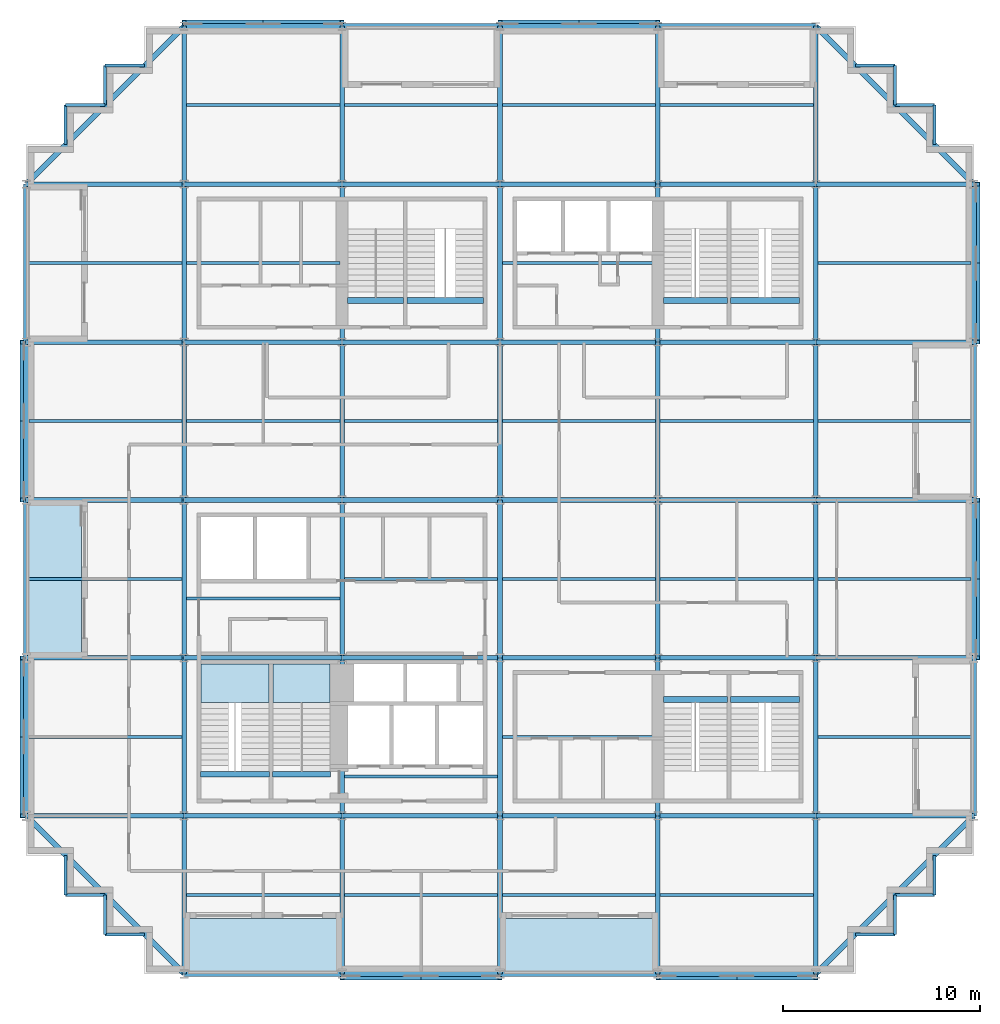
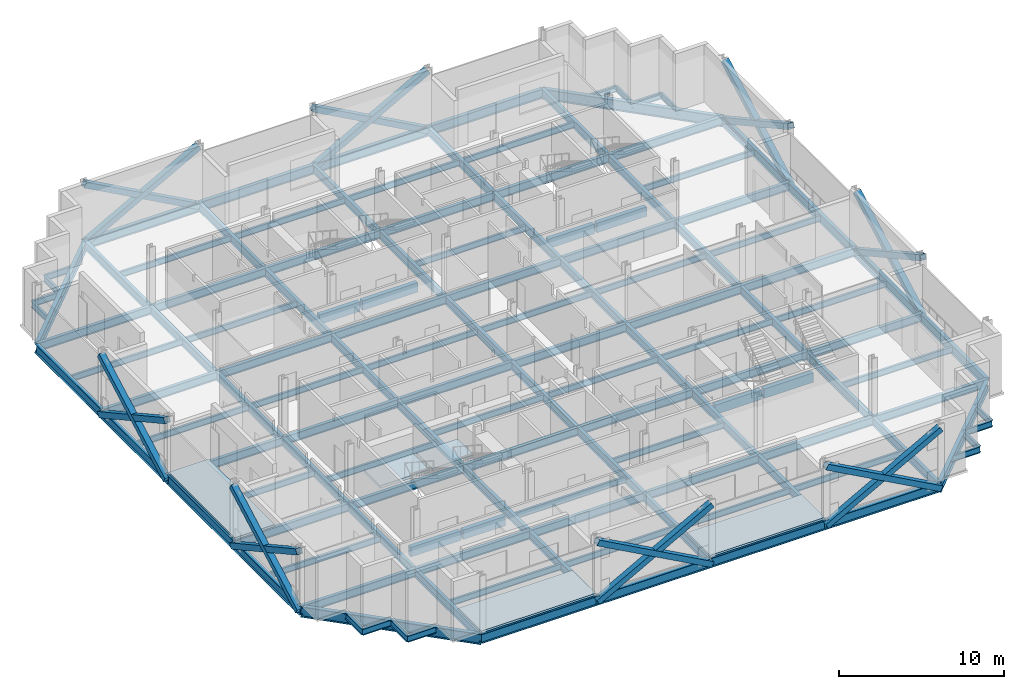
# One storey, part 4 of 13: 132 beams, 16 members, 5 slabs, 2 elements without a shape of their own.
"""IFC4 building model written with IfcOpenShell, lengths in metres."""

from ifc_helpers import new_model, si_unit, direction, frame, origin, origin_2d, place, context, subcontext, project, spatial, polyline, rectangle, hollow_rectangle, i_section, outline, extrude, material, layer, layer_set, material_profile, profile_set, type_object, element, aggregate, save


model = new_model("IFC4")

# Units and contexts
model_context = context("Model", 3, precision=1e-05, world=origin(), true_north=direction((0.0, 1.0)))
body_context = subcontext(model_context, "Body", "Model", "MODEL_VIEW")
ifc_project = project(units=[si_unit("LENGTHUNIT", "METRE"), si_unit("AREAUNIT", "SQUARE_METRE"), si_unit("VOLUMEUNIT", "CUBIC_METRE"), si_unit("PLANEANGLEUNIT", "RADIAN"), si_unit("MASSUNIT", "GRAM", prefix="KILO")], contexts=[model_context])

# Site, building, storey
site_placement = place(None, origin())
site = spatial("IfcSite", under=ifc_project, at=site_placement, CompositionType="ELEMENT")
building_placement = place(site_placement, origin())
building = spatial("IfcBuilding", under=site, at=building_placement, Name="Immortelle Media Tower", CompositionType="ELEMENT")
storey_placement = place(building_placement, frame((0.0, 0.0, 74.39990234375)))
storey = spatial("IfcBuildingStorey", under=building, at=storey_placement, Name="L13", CompositionType="ELEMENT", Elevation=74.39990234375)

# Members
ifc_material_1 = material(Name="Steel ASTM A500 Gr C", Category="steel")
ifc_material_profile_1 = material_profile(ifc_material_1, hollow_rectangle(XDim=0.406005859375, YDim=0.406005859375, WallThickness=0.014892578125, at=origin_2d()), Name="HSS16x16x5/8 brace")
ifc_profile_set_1 = profile_set([ifc_material_profile_1], Name="Steel ASTM A500 Gr C")
member_type = type_object("IfcMemberType", Name="HSS16x16x5/8 brace", PredefinedType="BRACE", material=ifc_profile_set_1)
for number, where, z_axis, x_axis, name in (
    (1, (-0.113037109375, 32.0, -0.496337890625), (0.0, -0.876220425204, 0.481910537812), (1.0, 0.0, 0.0), "Brace 1/D-E A"),
    (2, (-0.113037109375, 32.0, 3.903564453125), (0.0, -0.876220425204, -0.481910537812), (1.0, 0.0, 0.0), "Brace 1/D-E B"),
    (3, (-0.113037109375, 16.0, -0.496337890625), (0.0, -0.876220425204, 0.481910537812), (1.0, 0.0, 0.0), "Brace 1/B-C A"),
    (4, (-0.113037109375, 16.0, 3.903564453125), (0.0, -0.876220425204, -0.481910537812), (1.0, 0.0, 0.0), "Brace 1/B-C B"),
    (5, (16.0, -0.113037109375, -0.496337890625), (0.876220425204, 0.0, 0.481910537812), (0.0, 1.0, 0.0), "Brace A/3-4 A"),
    (6, (16.0, -0.113037109375, 3.903564453125), (0.876220425204, 0.0, -0.481910537812), (0.0, 1.0, 0.0), "Brace A/3-4 B"),
    (7, (32.0, -0.113037109375, -0.496337890625), (0.876220425204, 0.0, 0.481910537812), (0.0, 1.0, 0.0), "Brace A/5-6 A"),
    (8, (32.0, -0.113037109375, 3.903564453125), (0.876220425204, 0.0, -0.481910537812), (0.0, 1.0, 0.0), "Brace A/5-6 B"),
    (9, (48.113037109375, 16.0, -0.496337890625), (0.0, 0.876220425204, 0.481910537812), (-1.0, 0.0, 0.0), "Brace 7/C-D A"),
    (10, (48.113037109375, 16.0, 3.903564453125), (0.0, 0.876220425204, -0.481910537812), (-1.0, 0.0, 0.0), "Brace 7/C-D B"),
    (11, (48.113037109375, 32.0, -0.496337890625), (0.0, 0.876220425204, 0.481910537812), (-1.0, 0.0, 0.0), "Brace 7/E-F A"),
    (12, (48.113037109375, 32.0, 3.903564453125), (0.0, 0.876220425204, -0.481910537812), (-1.0, 0.0, 0.0), "Brace 7/E-F B"),
    (13, (32.0, 48.113037109375, -0.496337890625), (-0.876220425204, 0.0, 0.481910537812), (0.0, -1.0, 0.0), "Brace G/4-5 A"),
    (14, (32.0, 48.113037109375, 3.903564453125), (-0.876220425204, 0.0, -0.481910537812), (0.0, -1.0, 0.0), "Brace G/4-5 B"),
    (15, (16.0, 48.113037109375, -0.496337890625), (-0.876220425204, 0.0, 0.481910537812), (0.0, -1.0, 0.0), "Brace G/2-3 A"),
    (16, (16.0, 48.113037109375, 3.903564453125), (-0.876220425204, 0.0, -0.481910537812), (0.0, -1.0, 0.0), "Brace G/2-3 B"),
):
    element("IfcMember", number, at=place(storey_placement, frame(where, z_axis=z_axis, x_axis=x_axis)), inside=storey, type_object=member_type, Name=name, PredefinedType="BRACE", context=body_context, shape_type="SweptSolid", body=[
        extrude(hollow_rectangle(XDim=0.406005859375, YDim=0.406005859375, WallThickness=0.014892578125, at=origin_2d()), origin(), (0.0, 0.0, 1.0), 9.130126953125),
    ])

# Beams
ifc_material_2 = material(Name="Concrete C50/60", Category="concrete")
ifc_material_profile_2 = material_profile(ifc_material_2, rectangle(XDim=0.300048828125, YDim=0.699951171875, at=origin_2d()), Name="RC 300x700")
ifc_profile_set_2 = profile_set([ifc_material_profile_2], Name="Concrete C50/60")
beam_type_1 = type_object("IfcBeamType", Name="Stair trimmer beam 300 x 700", PredefinedType="BEAM", material=ifc_profile_set_2)
beam_1_placement = place(storey_placement, frame((8.830078125, 10.10498046875, -0.5), z_axis=(1.0, 0.0, 0.0), x_axis=(0.0, 1.0, 0.0)))
element("IfcBeam", 17, at=beam_1_placement, inside=storey, type_object=beam_type_1, Name="Stair trimmer beam SW1", PredefinedType="BEAM", context=body_context, shape_type="SweptSolid", body=[
    extrude(rectangle(XDim=0.300048828125, YDim=0.699951171875, at=origin_2d()), origin(), (0.0, 0.0, 1.0), 3.489990234375),
])
beam_2_placement = place(storey_placement, frame((12.47998046875, 10.10498046875, -0.5), z_axis=(1.0, 0.0, 0.0), x_axis=(0.0, 1.0, 0.0)))
element("IfcBeam", 18, at=beam_2_placement, inside=storey, type_object=beam_type_1, Name="Stair trimmer beam SW2", PredefinedType="BEAM", context=body_context, shape_type="SweptSolid", body=[
    extrude(rectangle(XDim=0.300048828125, YDim=0.699951171875, at=origin_2d()), origin(), (0.0, 0.0, 1.0), 2.93994140625),
])
beam_3_placement = place(storey_placement, frame((32.280029296875, 13.89501953125, -0.5), z_axis=(1.0, 0.0, 0.0), x_axis=(0.0, 1.0, 0.0)))
element("IfcBeam", 19, at=beam_3_placement, inside=storey, type_object=beam_type_1, Name="Stair trimmer beam SE1", PredefinedType="BEAM", context=body_context, shape_type="SweptSolid", body=[
    extrude(rectangle(XDim=0.300048828125, YDim=0.699951171875, at=origin_2d()), origin(), (0.0, 0.0, 1.0), 3.239990234375),
])
beam_4_placement = place(storey_placement, frame((35.679931640625, 13.89501953125, -0.5), z_axis=(1.0, 0.0, 0.0), x_axis=(0.0, 1.0, 0.0)))
element("IfcBeam", 20, at=beam_4_placement, inside=storey, type_object=beam_type_1, Name="Stair trimmer beam SE2", PredefinedType="BEAM", context=body_context, shape_type="SweptSolid", body=[
    extrude(rectangle(XDim=0.300048828125, YDim=0.699951171875, at=origin_2d()), origin(), (0.0, 0.0, 1.0), 3.489990234375),
])
beam_5_placement = place(storey_placement, frame((16.280029296875, 34.10498046875, -0.5), z_axis=(1.0, 0.0, 0.0), x_axis=(0.0, 1.0, 0.0)))
element("IfcBeam", 21, at=beam_5_placement, inside=storey, type_object=beam_type_1, Name="Stair trimmer beam NW1", PredefinedType="BEAM", context=body_context, shape_type="SweptSolid", body=[
    extrude(rectangle(XDim=0.300048828125, YDim=0.699951171875, at=origin_2d()), origin(), (0.0, 0.0, 1.0), 2.840087890625),
])
beam_6_placement = place(storey_placement, frame((19.280029296875, 34.10498046875, -0.5), z_axis=(1.0, 0.0, 0.0), x_axis=(0.0, 1.0, 0.0)))
element("IfcBeam", 22, at=beam_6_placement, inside=storey, type_object=beam_type_1, Name="Stair trimmer beam NW2", PredefinedType="BEAM", context=body_context, shape_type="SweptSolid", body=[
    extrude(rectangle(XDim=0.300048828125, YDim=0.699951171875, at=origin_2d()), origin(), (0.0, 0.0, 1.0), 3.889892578125),
])
beam_7_placement = place(storey_placement, frame((32.280029296875, 34.10498046875, -0.5), z_axis=(1.0, 0.0, 0.0), x_axis=(0.0, 1.0, 0.0)))
element("IfcBeam", 23, at=beam_7_placement, inside=storey, type_object=beam_type_1, Name="Stair trimmer beam NE1", PredefinedType="BEAM", context=body_context, shape_type="SweptSolid", body=[
    extrude(rectangle(XDim=0.300048828125, YDim=0.699951171875, at=origin_2d()), origin(), (0.0, 0.0, 1.0), 3.239990234375),
])
beam_8_placement = place(storey_placement, frame((35.679931640625, 34.10498046875, -0.5), z_axis=(1.0, 0.0, 0.0), x_axis=(0.0, 1.0, 0.0)))
element("IfcBeam", 24, at=beam_8_placement, inside=storey, type_object=beam_type_1, Name="Stair trimmer beam NE2", PredefinedType="BEAM", context=body_context, shape_type="SweptSolid", body=[
    extrude(rectangle(XDim=0.300048828125, YDim=0.699951171875, at=origin_2d()), origin(), (0.0, 0.0, 1.0), 3.489990234375),
])
ifc_material_3 = material(Name="Steel ASTM A992 Gr 50", Category="steel")
ifc_material_profile_3 = material_profile(ifc_material_3, i_section(OverallWidth=0.153076171875, OverallDepth=0.455078125, WebThickness=0.008056640625, FlangeThickness=0.012939453125, at=origin_2d()), Name="W18x40")
ifc_profile_set_3 = profile_set([ifc_material_profile_3], Name="Steel ASTM A992 Gr 50")
beam_type_2 = type_object("IfcBeamType", Name="W18x40 secondary beam", PredefinedType="JOIST", material=ifc_profile_set_3)
for number, where, z_axis, x_axis, name in (
    (25, (8.114501953125, 4.0, -0.37744140625), (1.0, 0.0, 0.0), (0.0, 1.0, 0.0), "Beam A-B/2-3"),
    (26, (16.114501953125, 4.0, -0.37744140625), (1.0, 0.0, 0.0), (0.0, 1.0, 0.0), "Beam A-B/3-4"),
    (27, (24.114501953125, 4.0, -0.37744140625), (1.0, 0.0, 0.0), (0.0, 1.0, 0.0), "Beam A-B/4-5"),
    (28, (32.114501953125, 4.0, -0.37744140625), (1.0, 0.0, 0.0), (0.0, 1.0, 0.0), "Beam A-B/5-6"),
):
    element("IfcBeam", number, at=place(storey_placement, frame(where, z_axis=z_axis, x_axis=x_axis)), inside=storey, type_object=beam_type_2, Name=name, PredefinedType="JOIST", context=body_context, shape_type="SweptSolid", body=[
        extrude(i_section(OverallWidth=0.153076171875, OverallDepth=0.455078125, WebThickness=0.008056640625, FlangeThickness=0.012939453125, at=origin_2d()), origin(), (0.0, 0.0, 1.0), 7.77099609375),
    ])
beam_9_placement = place(storey_placement, frame((0.12841796875, 12.0, -0.37744140625), z_axis=(1.0, 0.0, 0.0), x_axis=(0.0, 1.0, 0.0)))
element("IfcBeam", 29, at=beam_9_placement, inside=storey, type_object=beam_type_2, Name="Beam B-C/1-2", PredefinedType="JOIST", context=body_context, shape_type="SweptSolid", body=[
    extrude(i_section(OverallWidth=0.153076171875, OverallDepth=0.455078125, WebThickness=0.008056640625, FlangeThickness=0.012939453125, at=origin_2d()), origin(), (0.0, 0.0, 1.0), 7.757080078125),
])
for number, where, z_axis, x_axis, name in (
    (30, (16.114501953125, 10.0, -0.37744140625), (1.0, 0.0, 0.0), (0.0, 1.0, 0.0), "Beam B-C/3-4"),
    (31, (24.114501953125, 12.0, -0.37744140625), (1.0, 0.0, 0.0), (0.0, 1.0, 0.0), "Beam B-C/4-5"),
):
    element("IfcBeam", number, at=place(storey_placement, frame(where, z_axis=z_axis, x_axis=x_axis)), inside=storey, type_object=beam_type_2, Name=name, PredefinedType="JOIST", context=body_context, shape_type="SweptSolid", body=[
        extrude(i_section(OverallWidth=0.153076171875, OverallDepth=0.455078125, WebThickness=0.008056640625, FlangeThickness=0.012939453125, at=origin_2d()), origin(), (0.0, 0.0, 1.0), 7.77099609375),
    ])
for number, where, z_axis, x_axis, name in (
    (32, (40.114501953125, 12.0, -0.37744140625), (1.0, 0.0, 0.0), (0.0, 1.0, 0.0), "Beam B-C/6-7"),
    (33, (0.12841796875, 20.0, -0.37744140625), (1.0, 0.0, 0.0), (0.0, 1.0, 0.0), "Beam C-D/1-2"),
):
    element("IfcBeam", number, at=place(storey_placement, frame(where, z_axis=z_axis, x_axis=x_axis)), inside=storey, type_object=beam_type_2, Name=name, PredefinedType="JOIST", context=body_context, shape_type="SweptSolid", body=[
        extrude(i_section(OverallWidth=0.153076171875, OverallDepth=0.455078125, WebThickness=0.008056640625, FlangeThickness=0.012939453125, at=origin_2d()), origin(), (0.0, 0.0, 1.0), 7.757080078125),
    ])
for number, where, z_axis, x_axis, name in (
    (34, (8.114501953125, 19.0, -0.37744140625), (1.0, 0.0, 0.0), (0.0, 1.0, 0.0), "Beam C-D/2-3"),
    (35, (16.114501953125, 20.0, -0.37744140625), (1.0, 0.0, 0.0), (0.0, 1.0, 0.0), "Beam C-D/3-4"),
    (36, (24.114501953125, 20.0, -0.37744140625), (1.0, 0.0, 0.0), (0.0, 1.0, 0.0), "Beam C-D/4-5"),
    (37, (32.114501953125, 20.0, -0.37744140625), (1.0, 0.0, 0.0), (0.0, 1.0, 0.0), "Beam C-D/5-6"),
):
    element("IfcBeam", number, at=place(storey_placement, frame(where, z_axis=z_axis, x_axis=x_axis)), inside=storey, type_object=beam_type_2, Name=name, PredefinedType="JOIST", context=body_context, shape_type="SweptSolid", body=[
        extrude(i_section(OverallWidth=0.153076171875, OverallDepth=0.455078125, WebThickness=0.008056640625, FlangeThickness=0.012939453125, at=origin_2d()), origin(), (0.0, 0.0, 1.0), 7.77099609375),
    ])
for number, where, z_axis, x_axis, name in (
    (38, (40.114501953125, 20.0, -0.37744140625), (1.0, 0.0, 0.0), (0.0, 1.0, 0.0), "Beam C-D/6-7"),
    (39, (0.12841796875, 28.0, -0.37744140625), (1.0, 0.0, 0.0), (0.0, 1.0, 0.0), "Beam D-E/1-2"),
):
    element("IfcBeam", number, at=place(storey_placement, frame(where, z_axis=z_axis, x_axis=x_axis)), inside=storey, type_object=beam_type_2, Name=name, PredefinedType="JOIST", context=body_context, shape_type="SweptSolid", body=[
        extrude(i_section(OverallWidth=0.153076171875, OverallDepth=0.455078125, WebThickness=0.008056640625, FlangeThickness=0.012939453125, at=origin_2d()), origin(), (0.0, 0.0, 1.0), 7.757080078125),
    ])
for number, where, z_axis, x_axis, name in (
    (40, (8.114501953125, 28.0, -0.37744140625), (1.0, 0.0, 0.0), (0.0, 1.0, 0.0), "Beam D-E/2-3"),
    (41, (16.114501953125, 28.0, -0.37744140625), (1.0, 0.0, 0.0), (0.0, 1.0, 0.0), "Beam D-E/3-4"),
    (42, (24.114501953125, 28.0, -0.37744140625), (1.0, 0.0, 0.0), (0.0, 1.0, 0.0), "Beam D-E/4-5"),
    (43, (32.114501953125, 28.0, -0.37744140625), (1.0, 0.0, 0.0), (0.0, 1.0, 0.0), "Beam D-E/5-6"),
):
    element("IfcBeam", number, at=place(storey_placement, frame(where, z_axis=z_axis, x_axis=x_axis)), inside=storey, type_object=beam_type_2, Name=name, PredefinedType="JOIST", context=body_context, shape_type="SweptSolid", body=[
        extrude(i_section(OverallWidth=0.153076171875, OverallDepth=0.455078125, WebThickness=0.008056640625, FlangeThickness=0.012939453125, at=origin_2d()), origin(), (0.0, 0.0, 1.0), 7.77099609375),
    ])
for number, where, z_axis, x_axis, name in (
    (44, (40.114501953125, 28.0, -0.37744140625), (1.0, 0.0, 0.0), (0.0, 1.0, 0.0), "Beam D-E/6-7"),
    (45, (0.12841796875, 36.0, -0.37744140625), (1.0, 0.0, 0.0), (0.0, 1.0, 0.0), "Beam E-F/1-2"),
):
    element("IfcBeam", number, at=place(storey_placement, frame(where, z_axis=z_axis, x_axis=x_axis)), inside=storey, type_object=beam_type_2, Name=name, PredefinedType="JOIST", context=body_context, shape_type="SweptSolid", body=[
        extrude(i_section(OverallWidth=0.153076171875, OverallDepth=0.455078125, WebThickness=0.008056640625, FlangeThickness=0.012939453125, at=origin_2d()), origin(), (0.0, 0.0, 1.0), 7.757080078125),
    ])
for number, where, z_axis, x_axis, name in (
    (46, (8.114501953125, 36.0, -0.37744140625), (1.0, 0.0, 0.0), (0.0, 1.0, 0.0), "Beam E-F/2-3"),
    (47, (24.114501953125, 36.0, -0.37744140625), (1.0, 0.0, 0.0), (0.0, 1.0, 0.0), "Beam E-F/4-5"),
):
    element("IfcBeam", number, at=place(storey_placement, frame(where, z_axis=z_axis, x_axis=x_axis)), inside=storey, type_object=beam_type_2, Name=name, PredefinedType="JOIST", context=body_context, shape_type="SweptSolid", body=[
        extrude(i_section(OverallWidth=0.153076171875, OverallDepth=0.455078125, WebThickness=0.008056640625, FlangeThickness=0.012939453125, at=origin_2d()), origin(), (0.0, 0.0, 1.0), 7.77099609375),
    ])
beam_10_placement = place(storey_placement, frame((40.114501953125, 36.0, -0.37744140625), z_axis=(1.0, 0.0, 0.0), x_axis=(0.0, 1.0, 0.0)))
element("IfcBeam", 48, at=beam_10_placement, inside=storey, type_object=beam_type_2, Name="Beam E-F/6-7", PredefinedType="JOIST", context=body_context, shape_type="SweptSolid", body=[
    extrude(i_section(OverallWidth=0.153076171875, OverallDepth=0.455078125, WebThickness=0.008056640625, FlangeThickness=0.012939453125, at=origin_2d()), origin(), (0.0, 0.0, 1.0), 7.757080078125),
])
for number, where, z_axis, x_axis, name in (
    (49, (8.114501953125, 44.0, -0.37744140625), (1.0, 0.0, 0.0), (0.0, 1.0, 0.0), "Beam F-G/2-3"),
    (50, (16.114501953125, 44.0, -0.37744140625), (1.0, 0.0, 0.0), (0.0, 1.0, 0.0), "Beam F-G/3-4"),
    (51, (24.114501953125, 44.0, -0.37744140625), (1.0, 0.0, 0.0), (0.0, 1.0, 0.0), "Beam F-G/4-5"),
    (52, (32.114501953125, 44.0, -0.37744140625), (1.0, 0.0, 0.0), (0.0, 1.0, 0.0), "Beam F-G/5-6"),
):
    element("IfcBeam", number, at=place(storey_placement, frame(where, z_axis=z_axis, x_axis=x_axis)), inside=storey, type_object=beam_type_2, Name=name, PredefinedType="JOIST", context=body_context, shape_type="SweptSolid", body=[
        extrude(i_section(OverallWidth=0.153076171875, OverallDepth=0.455078125, WebThickness=0.008056640625, FlangeThickness=0.012939453125, at=origin_2d()), origin(), (0.0, 0.0, 1.0), 7.77099609375),
    ])
ifc_material_profile_4 = material_profile(ifc_material_3, i_section(OverallWidth=0.153076171875, OverallDepth=0.455078125, WebThickness=0.008056640625, FlangeThickness=0.012939453125, at=origin_2d()), Name="W18x40")
ifc_profile_set_4 = profile_set([ifc_material_profile_4], Name="Steel ASTM A992 Gr 50")
beam_type_3 = type_object("IfcBeamType", Name="W18x40 serration edge beam", PredefinedType="SPANDREL", material=ifc_profile_set_4)
for number, where, z_axis, x_axis, name in (
    (53, (6.0, 2.0, -0.37744140625), (-1.0, 0.0, 0.0), (0.0, -1.0, 0.0), "Corner edge beam 1 at 1/A"),
    (54, (4.0, 2.0, -0.37744140625), (0.0, 1.0, 0.0), (-1.0, 0.0, 0.0), "Corner edge beam 2 at 1/A"),
    (55, (4.0, 4.0, -0.37744140625), (-1.0, 0.0, 0.0), (0.0, -1.0, 0.0), "Corner edge beam 3 at 1/A"),
    (56, (2.0, 4.0, -0.37744140625), (0.0, 1.0, 0.0), (-1.0, 0.0, 0.0), "Corner edge beam 4 at 1/A"),
    (57, (2.0, 42.0, -0.37744140625), (0.0, 1.0, 0.0), (-1.0, 0.0, 0.0), "Corner edge beam 1 at 1/G"),
    (58, (2.0, 44.0, -0.37744140625), (1.0, 0.0, 0.0), (0.0, 1.0, 0.0), "Corner edge beam 2 at 1/G"),
    (59, (4.0, 44.0, -0.37744140625), (0.0, 1.0, 0.0), (-1.0, 0.0, 0.0), "Corner edge beam 3 at 1/G"),
    (60, (4.0, 46.0, -0.37744140625), (1.0, 0.0, 0.0), (0.0, 1.0, 0.0), "Corner edge beam 4 at 1/G"),
    (61, (46.0, 6.0, -0.37744140625), (0.0, -1.0, 0.0), (1.0, 0.0, 0.0), "Corner edge beam 1 at 7/A"),
    (62, (46.0, 4.0, -0.37744140625), (-1.0, 0.0, 0.0), (0.0, -1.0, 0.0), "Corner edge beam 2 at 7/A"),
    (63, (44.0, 4.0, -0.37744140625), (0.0, -1.0, 0.0), (1.0, 0.0, 0.0), "Corner edge beam 3 at 7/A"),
    (64, (44.0, 2.0, -0.37744140625), (-1.0, 0.0, 0.0), (0.0, -1.0, 0.0), "Corner edge beam 4 at 7/A"),
    (65, (42.0, 46.0, -0.37744140625), (1.0, 0.0, 0.0), (0.0, 1.0, 0.0), "Corner edge beam 1 at 7/G"),
    (66, (44.0, 46.0, -0.37744140625), (0.0, -1.0, 0.0), (1.0, 0.0, 0.0), "Corner edge beam 2 at 7/G"),
    (67, (44.0, 44.0, -0.37744140625), (1.0, 0.0, 0.0), (0.0, 1.0, 0.0), "Corner edge beam 3 at 7/G"),
    (68, (46.0, 44.0, -0.37744140625), (0.0, -1.0, 0.0), (1.0, 0.0, 0.0), "Corner edge beam 4 at 7/G"),
):
    element("IfcBeam", number, at=place(storey_placement, frame(where, z_axis=z_axis, x_axis=x_axis)), inside=storey, type_object=beam_type_3, Name=name, PredefinedType="SPANDREL", context=body_context, shape_type="SweptSolid", body=[
        extrude(i_section(OverallWidth=0.153076171875, OverallDepth=0.455078125, WebThickness=0.008056640625, FlangeThickness=0.012939453125, at=origin_2d()), origin(), (0.0, 0.0, 1.0), 2.0),
    ])
ifc_material_profile_5 = material_profile(ifc_material_3, i_section(OverallWidth=0.22900390625, OverallDepth=0.612060546875, WebThickness=0.011962890625, FlangeThickness=0.02001953125, at=origin_2d()), Name="W24x84")
ifc_profile_set_5 = profile_set([ifc_material_profile_5], Name="Steel ASTM A992 Gr 50")
beam_type_4 = type_object("IfcBeamType", Name="W24x84 girder", PredefinedType="BEAM", material=ifc_profile_set_5)
for number, where, z_axis, x_axis, name in (
    (69, (0.0, 8.0, -0.455810546875), (1.0, 0.0, 0.0), (0.0, 1.0, 0.0), "Girder B/1-2"),
    (70, (0.0, 16.0, -0.455810546875), (1.0, 0.0, 0.0), (0.0, 1.0, 0.0), "Girder C/1-2"),
    (71, (0.0, 24.0, -0.455810546875), (1.0, 0.0, 0.0), (0.0, 1.0, 0.0), "Girder D/1-2"),
    (72, (0.0, 32.0, -0.455810546875), (1.0, 0.0, 0.0), (0.0, 1.0, 0.0), "Girder E/1-2"),
    (73, (0.0, 40.0, -0.455810546875), (1.0, 0.0, 0.0), (0.0, 1.0, 0.0), "Girder F/1-2"),
    (74, (8.0, 0.0, -0.455810546875), (0.0, 1.0, 0.0), (-1.0, 0.0, 0.0), "Girder 2/A-B"),
    (75, (8.0, 8.0, -0.455810546875), (1.0, 0.0, 0.0), (0.0, 1.0, 0.0), "Girder B/2-3"),
    (76, (8.0, 8.0, -0.455810546875), (0.0, 1.0, 0.0), (-1.0, 0.0, 0.0), "Girder 2/B-C"),
    (77, (8.0, 16.0, -0.455810546875), (1.0, 0.0, 0.0), (0.0, 1.0, 0.0), "Girder C/2-3"),
    (78, (8.0, 16.0, -0.455810546875), (0.0, 1.0, 0.0), (-1.0, 0.0, 0.0), "Girder 2/C-D"),
    (79, (8.0, 24.0, -0.455810546875), (1.0, 0.0, 0.0), (0.0, 1.0, 0.0), "Girder D/2-3"),
    (80, (8.0, 24.0, -0.455810546875), (0.0, 1.0, 0.0), (-1.0, 0.0, 0.0), "Girder 2/D-E"),
    (81, (8.0, 32.0, -0.455810546875), (1.0, 0.0, 0.0), (0.0, 1.0, 0.0), "Girder E/2-3"),
    (82, (8.0, 32.0, -0.455810546875), (0.0, 1.0, 0.0), (-1.0, 0.0, 0.0), "Girder 2/E-F"),
    (83, (8.0, 40.0, -0.455810546875), (1.0, 0.0, 0.0), (0.0, 1.0, 0.0), "Girder F/2-3"),
    (84, (8.0, 40.0, -0.455810546875), (0.0, 1.0, 0.0), (-1.0, 0.0, 0.0), "Girder 2/F-G"),
    (85, (16.0, 0.0, -0.455810546875), (0.0, 1.0, 0.0), (-1.0, 0.0, 0.0), "Girder 3/A-B"),
    (86, (16.0, 8.0, -0.455810546875), (1.0, 0.0, 0.0), (0.0, 1.0, 0.0), "Girder B/3-4"),
    (87, (16.0, 8.0, -0.455810546875), (0.0, 1.0, 0.0), (-1.0, 0.0, 0.0), "Girder 3/B-C"),
    (88, (16.0, 16.0, -0.455810546875), (1.0, 0.0, 0.0), (0.0, 1.0, 0.0), "Girder C/3-4"),
    (89, (16.0, 16.0, -0.455810546875), (0.0, 1.0, 0.0), (-1.0, 0.0, 0.0), "Girder 3/C-D"),
    (90, (16.0, 24.0, -0.455810546875), (1.0, 0.0, 0.0), (0.0, 1.0, 0.0), "Girder D/3-4"),
    (91, (16.0, 24.0, -0.455810546875), (0.0, 1.0, 0.0), (-1.0, 0.0, 0.0), "Girder 3/D-E"),
    (92, (16.0, 32.0, -0.455810546875), (1.0, 0.0, 0.0), (0.0, 1.0, 0.0), "Girder E/3-4"),
    (93, (16.0, 32.0, -0.455810546875), (0.0, 1.0, 0.0), (-1.0, 0.0, 0.0), "Girder 3/E-F"),
    (94, (16.0, 40.0, -0.455810546875), (1.0, 0.0, 0.0), (0.0, 1.0, 0.0), "Girder F/3-4"),
    (95, (16.0, 40.0, -0.455810546875), (0.0, 1.0, 0.0), (-1.0, 0.0, 0.0), "Girder 3/F-G"),
    (96, (24.0, 0.0, -0.455810546875), (0.0, 1.0, 0.0), (-1.0, 0.0, 0.0), "Girder 4/A-B"),
    (97, (24.0, 8.0, -0.455810546875), (1.0, 0.0, 0.0), (0.0, 1.0, 0.0), "Girder B/4-5"),
    (98, (24.0, 8.0, -0.455810546875), (0.0, 1.0, 0.0), (-1.0, 0.0, 0.0), "Girder 4/B-C"),
    (99, (24.0, 16.0, -0.455810546875), (1.0, 0.0, 0.0), (0.0, 1.0, 0.0), "Girder C/4-5"),
    (100, (24.0, 16.0, -0.455810546875), (0.0, 1.0, 0.0), (-1.0, 0.0, 0.0), "Girder 4/C-D"),
    (101, (24.0, 24.0, -0.455810546875), (1.0, 0.0, 0.0), (0.0, 1.0, 0.0), "Girder D/4-5"),
    (102, (24.0, 24.0, -0.455810546875), (0.0, 1.0, 0.0), (-1.0, 0.0, 0.0), "Girder 4/D-E"),
    (103, (24.0, 32.0, -0.455810546875), (1.0, 0.0, 0.0), (0.0, 1.0, 0.0), "Girder E/4-5"),
    (104, (24.0, 32.0, -0.455810546875), (0.0, 1.0, 0.0), (-1.0, 0.0, 0.0), "Girder 4/E-F"),
    (105, (24.0, 40.0, -0.455810546875), (1.0, 0.0, 0.0), (0.0, 1.0, 0.0), "Girder F/4-5"),
    (106, (24.0, 40.0, -0.455810546875), (0.0, 1.0, 0.0), (-1.0, 0.0, 0.0), "Girder 4/F-G"),
    (107, (32.0, 0.0, -0.455810546875), (0.0, 1.0, 0.0), (-1.0, 0.0, 0.0), "Girder 5/A-B"),
    (108, (32.0, 8.0, -0.455810546875), (1.0, 0.0, 0.0), (0.0, 1.0, 0.0), "Girder B/5-6"),
    (109, (32.0, 8.0, -0.455810546875), (0.0, 1.0, 0.0), (-1.0, 0.0, 0.0), "Girder 5/B-C"),
    (110, (32.0, 16.0, -0.455810546875), (1.0, 0.0, 0.0), (0.0, 1.0, 0.0), "Girder C/5-6"),
    (111, (32.0, 16.0, -0.455810546875), (0.0, 1.0, 0.0), (-1.0, 0.0, 0.0), "Girder 5/C-D"),
    (112, (32.0, 24.0, -0.455810546875), (1.0, 0.0, 0.0), (0.0, 1.0, 0.0), "Girder D/5-6"),
    (113, (32.0, 24.0, -0.455810546875), (0.0, 1.0, 0.0), (-1.0, 0.0, 0.0), "Girder 5/D-E"),
    (114, (32.0, 32.0, -0.455810546875), (1.0, 0.0, 0.0), (0.0, 1.0, 0.0), "Girder E/5-6"),
    (115, (32.0, 32.0, -0.455810546875), (0.0, 1.0, 0.0), (-1.0, 0.0, 0.0), "Girder 5/E-F"),
    (116, (32.0, 40.0, -0.455810546875), (1.0, 0.0, 0.0), (0.0, 1.0, 0.0), "Girder F/5-6"),
    (117, (32.0, 40.0, -0.455810546875), (0.0, 1.0, 0.0), (-1.0, 0.0, 0.0), "Girder 5/F-G"),
    (118, (40.0, 0.0, -0.455810546875), (0.0, 1.0, 0.0), (-1.0, 0.0, 0.0), "Girder 6/A-B"),
    (119, (40.0, 8.0, -0.455810546875), (1.0, 0.0, 0.0), (0.0, 1.0, 0.0), "Girder B/6-7"),
    (120, (40.0, 8.0, -0.455810546875), (0.0, 1.0, 0.0), (-1.0, 0.0, 0.0), "Girder 6/B-C"),
    (121, (40.0, 16.0, -0.455810546875), (1.0, 0.0, 0.0), (0.0, 1.0, 0.0), "Girder C/6-7"),
    (122, (40.0, 16.0, -0.455810546875), (0.0, 1.0, 0.0), (-1.0, 0.0, 0.0), "Girder 6/C-D"),
    (123, (40.0, 24.0, -0.455810546875), (1.0, 0.0, 0.0), (0.0, 1.0, 0.0), "Girder D/6-7"),
    (124, (40.0, 24.0, -0.455810546875), (0.0, 1.0, 0.0), (-1.0, 0.0, 0.0), "Girder 6/D-E"),
    (125, (40.0, 32.0, -0.455810546875), (1.0, 0.0, 0.0), (0.0, 1.0, 0.0), "Girder E/6-7"),
    (126, (40.0, 32.0, -0.455810546875), (0.0, 1.0, 0.0), (-1.0, 0.0, 0.0), "Girder 6/E-F"),
    (127, (40.0, 40.0, -0.455810546875), (1.0, 0.0, 0.0), (0.0, 1.0, 0.0), "Girder F/6-7"),
    (128, (40.0, 40.0, -0.455810546875), (0.0, 1.0, 0.0), (-1.0, 0.0, 0.0), "Girder 6/F-G"),
):
    element("IfcBeam", number, at=place(storey_placement, frame(where, z_axis=z_axis, x_axis=x_axis)), inside=storey, type_object=beam_type_4, Name=name, PredefinedType="BEAM", context=body_context, shape_type="SweptSolid", body=[
        extrude(i_section(OverallWidth=0.22900390625, OverallDepth=0.612060546875, WebThickness=0.011962890625, FlangeThickness=0.02001953125, at=origin_2d()), origin(), (0.0, 0.0, 1.0), 8.0),
    ])
ifc_material_profile_6 = material_profile(ifc_material_3, i_section(OverallWidth=0.257080078125, OverallDepth=0.693115234375, WebThickness=0.013916015625, FlangeThickness=0.02392578125, at=origin_2d()), Name="W27x114")
ifc_profile_set_6 = profile_set([ifc_material_profile_6], Name="Steel ASTM A992 Gr 50")
beam_type_5 = type_object("IfcBeamType", Name="W27x114 perimeter girder", PredefinedType="SPANDREL", material=ifc_profile_set_6)
for number, where, z_axis, x_axis, name in (
    (129, (0.0, 8.0, -0.496337890625), (0.0, 1.0, 0.0), (-1.0, 0.0, 0.0), "Girder 1/B-C"),
    (130, (0.0, 16.0, -0.496337890625), (0.0, 1.0, 0.0), (-1.0, 0.0, 0.0), "Girder 1/C-D"),
    (131, (0.0, 24.0, -0.496337890625), (0.0, 1.0, 0.0), (-1.0, 0.0, 0.0), "Girder 1/D-E"),
    (132, (0.0, 32.0, -0.496337890625), (0.0, 1.0, 0.0), (-1.0, 0.0, 0.0), "Girder 1/E-F"),
    (133, (8.0, 0.0, -0.496337890625), (1.0, 0.0, 0.0), (0.0, 1.0, 0.0), "Girder A/2-3"),
    (134, (8.0, 48.0, -0.496337890625), (1.0, 0.0, 0.0), (0.0, 1.0, 0.0), "Girder G/2-3"),
    (135, (16.0, 0.0, -0.496337890625), (1.0, 0.0, 0.0), (0.0, 1.0, 0.0), "Girder A/3-4"),
    (136, (16.0, 48.0, -0.496337890625), (1.0, 0.0, 0.0), (0.0, 1.0, 0.0), "Girder G/3-4"),
    (137, (24.0, 0.0, -0.496337890625), (1.0, 0.0, 0.0), (0.0, 1.0, 0.0), "Girder A/4-5"),
    (138, (24.0, 48.0, -0.496337890625), (1.0, 0.0, 0.0), (0.0, 1.0, 0.0), "Girder G/4-5"),
    (139, (32.0, 0.0, -0.496337890625), (1.0, 0.0, 0.0), (0.0, 1.0, 0.0), "Girder A/5-6"),
    (140, (32.0, 48.0, -0.496337890625), (1.0, 0.0, 0.0), (0.0, 1.0, 0.0), "Girder G/5-6"),
    (141, (48.0, 8.0, -0.496337890625), (0.0, 1.0, 0.0), (-1.0, 0.0, 0.0), "Girder 7/B-C"),
    (142, (48.0, 16.0, -0.496337890625), (0.0, 1.0, 0.0), (-1.0, 0.0, 0.0), "Girder 7/C-D"),
    (143, (48.0, 24.0, -0.496337890625), (0.0, 1.0, 0.0), (-1.0, 0.0, 0.0), "Girder 7/D-E"),
    (144, (48.0, 32.0, -0.496337890625), (0.0, 1.0, 0.0), (-1.0, 0.0, 0.0), "Girder 7/E-F"),
):
    element("IfcBeam", number, at=place(storey_placement, frame(where, z_axis=z_axis, x_axis=x_axis)), inside=storey, type_object=beam_type_5, Name=name, PredefinedType="SPANDREL", context=body_context, shape_type="SweptSolid", body=[
        extrude(i_section(OverallWidth=0.257080078125, OverallDepth=0.693115234375, WebThickness=0.013916015625, FlangeThickness=0.02392578125, at=origin_2d()), origin(), (0.0, 0.0, 1.0), 8.0),
    ])
ifc_material_profile_7 = material_profile(ifc_material_3, i_section(OverallWidth=0.26708984375, OverallDepth=0.780029296875, WebThickness=0.01708984375, FlangeThickness=0.030029296875, at=origin_2d()), Name="W30x148")
ifc_profile_set_7 = profile_set([ifc_material_profile_7], Name="Steel ASTM A992 Gr 50")
beam_type_6 = type_object("IfcBeamType", Name="W30x148 corner girder", PredefinedType="SPANDREL", material=ifc_profile_set_7)
for number, where, z_axis, x_axis, name in (
    (145, (8.0, 0.0, -0.539794921875), (-0.707106781187, 0.707106781187, 0.0), (-0.707106781187, -0.707106781187, 0.0), "Corner girder at 1/A"),
    (146, (0.0, 40.0, -0.539794921875), (0.707106781187, 0.707106781187, 0.0), (-0.707106781187, 0.707106781187, 0.0), "Corner girder at 1/G"),
    (147, (48.0, 8.0, -0.539794921875), (-0.707106781187, -0.707106781187, 0.0), (0.707106781187, -0.707106781187, 0.0), "Corner girder at 7/A"),
    (148, (40.0, 48.0, -0.539794921875), (0.707106781187, -0.707106781187, 0.0), (0.707106781187, 0.707106781187, 0.0), "Corner girder at 7/G"),
):
    element("IfcBeam", number, at=place(storey_placement, frame(where, z_axis=z_axis, x_axis=x_axis)), inside=storey, type_object=beam_type_6, Name=name, PredefinedType="SPANDREL", context=body_context, shape_type="SweptSolid", body=[
        extrude(i_section(OverallWidth=0.26708984375, OverallDepth=0.780029296875, WebThickness=0.01708984375, FlangeThickness=0.030029296875, at=origin_2d()), origin(), (0.0, 0.0, 1.0), 11.313720703125),
    ])

# Slabs
ifc_material_4 = material(Name="Concrete C50/60 composite deck", Category="concrete")
ifc_layer_1 = layer(ifc_material_4, 0.14990234375)
ifc_layer_set_1 = layer_set([ifc_layer_1], Name="Concrete C50/60 composite deck")
slab_type_1 = type_object("IfcSlabType", Name="Balcony slab 150", PredefinedType="FLOOR", material=ifc_layer_set_1)
slab_1_placement = place(storey_placement, frame((0.0, 0.0, -0.14990234375)))
element("IfcSlab", 149, at=slab_1_placement, inside=storey, type_object=slab_type_1, Name="Balcony slab L13 W2", PredefinedType="FLOOR", context=body_context, shape_type="SweptSolid", body=[
    extrude(outline(polyline([(2.800048828125, 16.0), (2.800048828125, 24.0), (0.0, 24.0), (0.0, 16.0), (2.800048828125, 16.0)])), origin(), (0.0, 0.0, 1.0), 0.14990234375),
])
slab_2_placement = place(storey_placement, frame((0.0, 0.0, -0.14990234375)))
element("IfcSlab", 150, at=slab_2_placement, inside=storey, type_object=slab_type_1, Name="Balcony slab L13 S0", PredefinedType="FLOOR", context=body_context, shape_type="SweptSolid", body=[
    extrude(outline(polyline([(16.0, 0.0), (16.0, 2.800048828125), (8.0, 2.800048828125), (8.0, 0.0), (16.0, 0.0)])), origin(), (0.0, 0.0, 1.0), 0.14990234375),
])
slab_3_placement = place(storey_placement, frame((0.0, 0.0, -0.14990234375)))
element("IfcSlab", 151, at=slab_3_placement, inside=storey, type_object=slab_type_1, Name="Balcony slab L13 S2", PredefinedType="FLOOR", context=body_context, shape_type="SweptSolid", body=[
    extrude(outline(polyline([(32.0, 0.0), (32.0, 2.800048828125), (24.0, 2.800048828125), (24.0, 0.0), (32.0, 0.0)])), origin(), (0.0, 0.0, 1.0), 0.14990234375),
])

# Stair, slab
stair_type = type_object("IfcStairType", Name="Stair with flights", PredefinedType="DOUBLE_RETURN_STAIR", material=ifc_material_3)
stair_1_placement = place(storey_placement, origin())
stair_1 = element("IfcStair", 152, at=stair_1_placement, inside=storey, type_object=stair_type, Name="Exit stair SW1", PredefinedType="DOUBLE_RETURN_STAIR")
ifc_material_5 = material(Name="Steel ASTM A572 Gr 50", Category="steel")
ifc_layer_2 = layer(ifc_material_5, 0.199951171875)
ifc_layer_set_2 = layer_set([ifc_layer_2], Name="Steel ASTM A572 Gr 50")
slab_type_2 = type_object("IfcSlabType", Name="Stair landing 200", PredefinedType="LANDING", material=ifc_layer_set_2)
slab_4_placement = place(storey_placement, frame((0.0, 0.0, 1.912109375)))
slab_4 = element("IfcSlab", 153, at=slab_4_placement, type_object=slab_type_2, Name="ST SW1 landing 1", PredefinedType="LANDING", context=body_context, shape_type="SweptSolid", body=[
    extrude(outline(polyline([(8.85009765625, 13.72998046875), (12.300048828125, 13.72998046875), (12.300048828125, 15.699951171875), (8.85009765625, 15.699951171875), (8.85009765625, 13.72998046875)])), origin(), (0.0, 0.0, 1.0), 0.199951171875),
])
aggregate(stair_1, [slab_4])

stair_2_placement = place(storey_placement, origin())
stair_2 = element("IfcStair", 154, at=stair_2_placement, inside=storey, type_object=stair_type, Name="Exit stair SW2", PredefinedType="DOUBLE_RETURN_STAIR")
slab_5_placement = place(storey_placement, frame((0.0, 0.0, 1.912109375)))
slab_5 = element("IfcSlab", 155, at=slab_5_placement, type_object=slab_type_2, Name="ST SW2 landing 1", PredefinedType="LANDING", context=body_context, shape_type="SweptSolid", body=[
    extrude(outline(polyline([(12.5, 13.72998046875), (15.39990234375, 13.72998046875), (15.39990234375, 15.699951171875), (12.5, 15.699951171875), (12.5, 13.72998046875)])), origin(), (0.0, 0.0, 1.0), 0.199951171875),
])
aggregate(stair_2, [slab_5])

save(model, "model.ifc")
